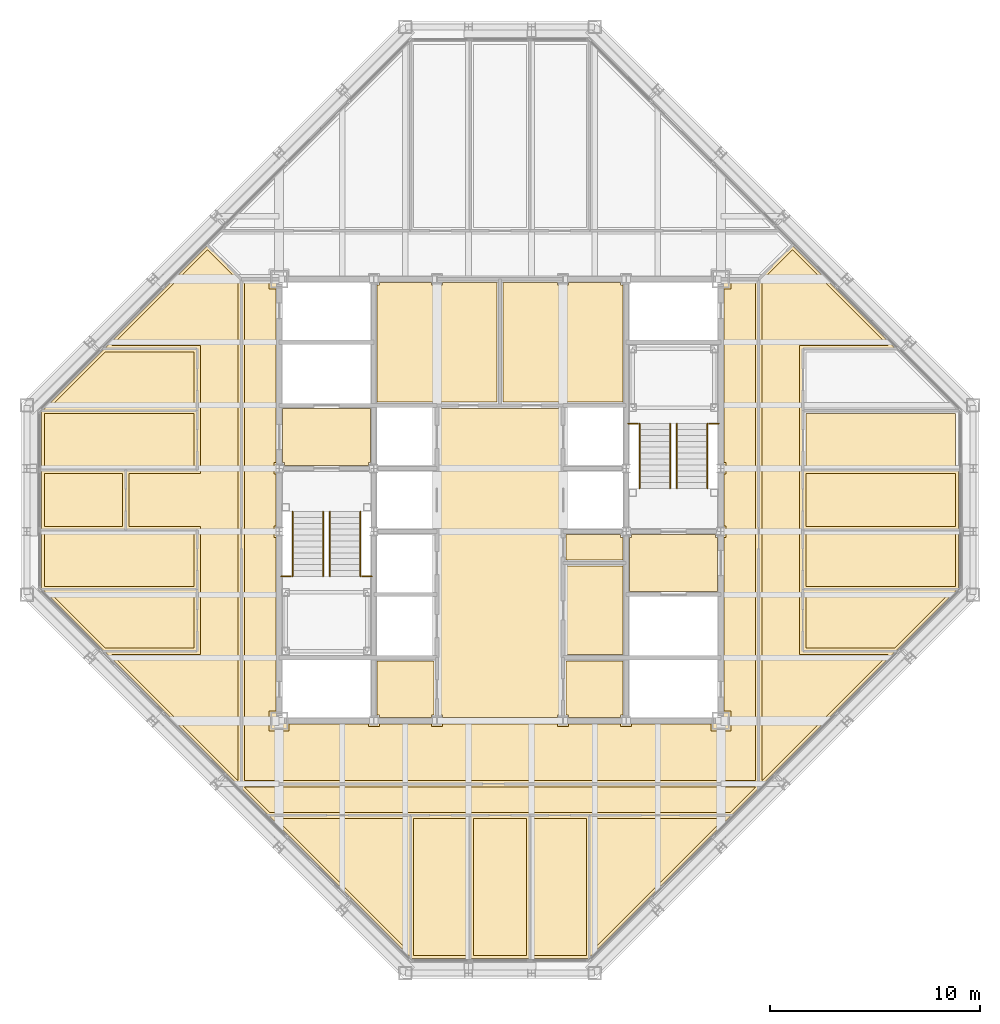
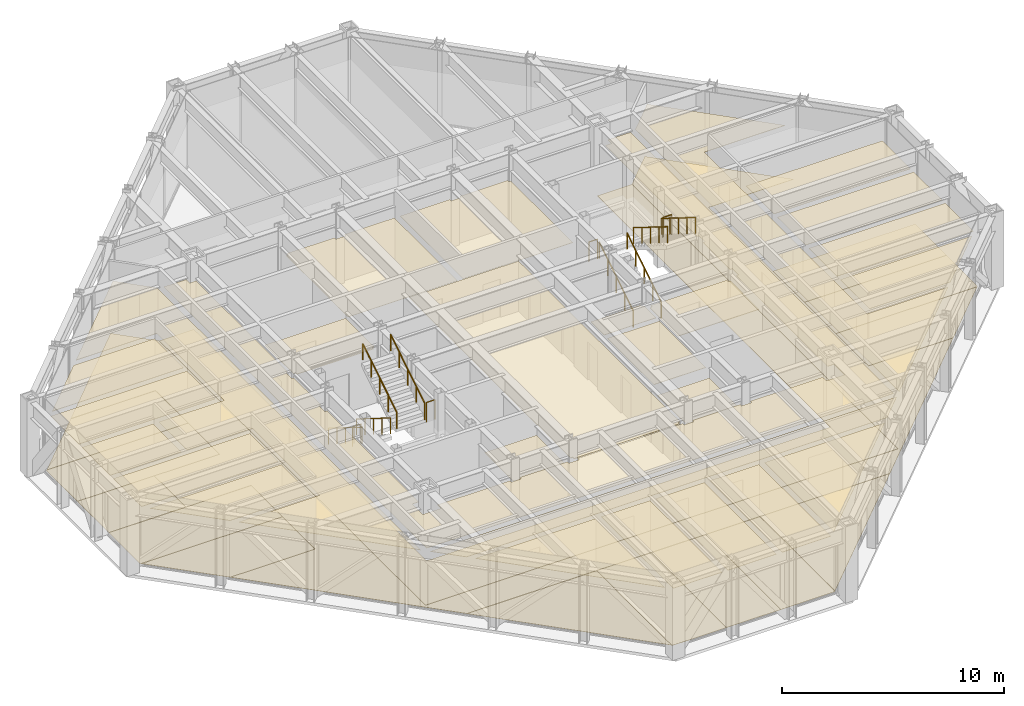
# One storey, part 14 of 15: 42 coverings, 12 railings.
"""IFC4 building model written with IfcOpenShell, lengths in metres."""

from ifc_helpers import new_model, si_unit, direction, frame, origin, origin_2d, place, context, subcontext, project, spatial, polyline, circle, outline, extrude, material, layer, layer_set, type_object, element, save


model = new_model("IFC4")

# Units and contexts
model_context = context("Model", 3, precision=1e-05, world=origin(), true_north=direction((0.0, 1.0)))
body_context = subcontext(model_context, "Body", "Model", "MODEL_VIEW")
ifc_project = project(units=[si_unit("LENGTHUNIT", "METRE"), si_unit("AREAUNIT", "SQUARE_METRE"), si_unit("VOLUMEUNIT", "CUBIC_METRE"), si_unit("PLANEANGLEUNIT", "RADIAN"), si_unit("MASSUNIT", "GRAM", prefix="KILO")], contexts=[model_context])

# Site, building, storey
site_placement = place(None, origin())
site = spatial("IfcSite", under=ifc_project, at=site_placement, CompositionType="ELEMENT")
building_placement = place(site_placement, origin())
building = spatial("IfcBuilding", under=site, at=building_placement, Name="Chuquiago Exchange Tower", CompositionType="ELEMENT")
storey_placement = place(building_placement, frame((0.0, 0.0, 295.800048828125)))
storey = spatial("IfcBuildingStorey", under=building, at=storey_placement, Name="L66", CompositionType="ELEMENT", Elevation=295.800048828125)

# Coverings
ifc_material_1 = material(Name="Mineral fibre tile, 600 x 600, on pale metal grid", Category="mineral fibre")
ifc_layer_1 = layer(ifc_material_1, 0.02001953125)
ifc_layer_set_1 = layer_set([ifc_layer_1], Name="CL1 suspended tile ceiling 20")
covering_type_1 = type_object("IfcCoveringType", Name="CL1 suspended tile ceiling 20", PredefinedType="CEILING", material=ifc_layer_set_1)
covering_1_placement = place(storey_placement, frame((0.0, 0.0, 3.0)))
element("IfcCovering", 1, at=covering_1_placement, inside=storey, type_object=covering_type_1, Name="Ceiling Conference room", PredefinedType="CEILING", context=body_context, shape_type="SweptSolid", body=[
    extrude(outline(polyline([(18.098388671875, 7.35009765625), (18.098388671875, 1.103515625), (11.85205078125, 7.35009765625), (18.098388671875, 7.35009765625)])), origin(), (0.0, 0.0, 1.0), 0.02001953125),
])
covering_2_placement = place(storey_placement, frame((0.0, 0.0, 3.0)))
element("IfcCovering", 2, at=covering_2_placement, inside=storey, type_object=covering_type_1, Name="Ceiling Executive office", PredefinedType="CEILING", context=body_context, shape_type="SweptSolid", body=[
    extrude(outline(polyline([(18.3984375, 7.35009765625), (20.932861328125, 7.35009765625), (20.932861328125, 0.85009765625), (18.3984375, 0.85009765625), (18.3984375, 7.35009765625)])), origin(), (0.0, 0.0, 1.0), 0.02001953125),
])
covering_3_placement = place(storey_placement, frame((0.0, 0.0, 3.0)))
element("IfcCovering", 3, at=covering_3_placement, inside=storey, type_object=covering_type_1, Name="Ceiling Executive office", PredefinedType="CEILING", context=body_context, shape_type="SweptSolid", body=[
    extrude(outline(polyline([(21.23291015625, 7.35009765625), (23.76708984375, 7.35009765625), (23.76708984375, 0.85009765625), (21.23291015625, 0.85009765625), (21.23291015625, 7.35009765625)])), origin(), (0.0, 0.0, 1.0), 0.02001953125),
])
covering_4_placement = place(storey_placement, frame((0.0, 0.0, 3.0)))
element("IfcCovering", 4, at=covering_4_placement, inside=storey, type_object=covering_type_1, Name="Ceiling Meeting room", PredefinedType="CEILING", context=body_context, shape_type="SweptSolid", body=[
    extrude(outline(polyline([(24.067138671875, 0.85009765625), (24.067138671875, 7.35009765625), (26.6015625, 7.35009765625), (26.6015625, 0.85009765625), (24.067138671875, 0.85009765625)])), origin(), (0.0, 0.0, 1.0), 0.02001953125),
])
covering_5_placement = place(storey_placement, frame((0.0, 0.0, 3.0)))
element("IfcCovering", 5, at=covering_5_placement, inside=storey, type_object=covering_type_1, Name="Ceiling Dining room", PredefinedType="CEILING", context=body_context, shape_type="SweptSolid", body=[
    extrude(outline(polyline([(26.901611328125, 7.35009765625), (33.14794921875, 7.35009765625), (26.901611328125, 1.103515625), (26.901611328125, 7.35009765625)])), origin(), (0.0, 0.0, 1.0), 0.02001953125),
])
covering_6_placement = place(storey_placement, frame((0.0, 0.0, 3.0)))
element("IfcCovering", 6, at=covering_6_placement, inside=storey, type_object=covering_type_1, Name="Ceiling Office", PredefinedType="CEILING", context=body_context, shape_type="SweptSolid", body=[
    extrude(outline(polyline([(37.050048828125, 15.45703125), (37.050048828125, 18.098388671875), (43.896484375, 18.098388671875), (41.255126953125, 15.45703125), (37.050048828125, 15.45703125)])), origin(), (0.0, 0.0, 1.0), 0.02001953125),
])
covering_7_placement = place(storey_placement, frame((0.0, 0.0, 3.0)))
element("IfcCovering", 7, at=covering_7_placement, inside=storey, type_object=covering_type_1, Name="Ceiling Executive office", PredefinedType="CEILING", context=body_context, shape_type="SweptSolid", body=[
    extrude(outline(polyline([(37.050048828125, 18.3984375), (37.050048828125, 20.932861328125), (44.14990234375, 20.932861328125), (44.14990234375, 18.3984375), (37.050048828125, 18.3984375)])), origin(), (0.0, 0.0, 1.0), 0.02001953125),
])
covering_8_placement = place(storey_placement, frame((0.0, 0.0, 3.0)))
element("IfcCovering", 8, at=covering_8_placement, inside=storey, type_object=covering_type_1, Name="Ceiling Executive office", PredefinedType="CEILING", context=body_context, shape_type="SweptSolid", body=[
    extrude(outline(polyline([(37.050048828125, 21.23291015625), (37.050048828125, 23.76708984375), (44.14990234375, 23.76708984375), (44.14990234375, 21.23291015625), (37.050048828125, 21.23291015625)])), origin(), (0.0, 0.0, 1.0), 0.02001953125),
])
covering_9_placement = place(storey_placement, frame((0.0, 0.0, 3.0)))
element("IfcCovering", 9, at=covering_9_placement, inside=storey, type_object=covering_type_1, Name="Ceiling Meeting room", PredefinedType="CEILING", context=body_context, shape_type="SweptSolid", body=[
    extrude(outline(polyline([(44.14990234375, 24.067138671875), (37.050048828125, 24.067138671875), (37.050048828125, 26.6015625), (44.14990234375, 26.6015625), (44.14990234375, 24.067138671875)])), origin(), (0.0, 0.0, 1.0), 0.02001953125),
])
covering_10_placement = place(storey_placement, frame((0.0, 0.0, 3.0)))
element("IfcCovering", 10, at=covering_10_placement, inside=storey, type_object=covering_type_1, Name="Ceiling Executive office", PredefinedType="CEILING", context=body_context, shape_type="SweptSolid", body=[
    extrude(outline(polyline([(7.949951171875, 18.098388671875), (7.949951171875, 15.45703125), (3.744873046875, 15.45703125), (1.103515625, 18.098388671875), (7.949951171875, 18.098388671875)])), origin(), (0.0, 0.0, 1.0), 0.02001953125),
])
covering_11_placement = place(storey_placement, frame((0.0, 0.0, 3.0)))
element("IfcCovering", 11, at=covering_11_placement, inside=storey, type_object=covering_type_1, Name="Ceiling Office", PredefinedType="CEILING", context=body_context, shape_type="SweptSolid", body=[
    extrude(outline(polyline([(0.85009765625, 20.932861328125), (7.949951171875, 20.932861328125), (7.949951171875, 18.3984375), (0.85009765625, 18.3984375), (0.85009765625, 20.932861328125)])), origin(), (0.0, 0.0, 1.0), 0.02001953125),
])
covering_12_placement = place(storey_placement, frame((0.0, 0.0, 3.0)))
element("IfcCovering", 12, at=covering_12_placement, inside=storey, type_object=covering_type_1, Name="Ceiling Pantry", PredefinedType="CEILING", context=body_context, shape_type="SweptSolid", body=[
    extrude(outline(polyline([(4.550048828125, 23.76708984375), (4.550048828125, 21.23291015625), (0.85009765625, 21.23291015625), (0.85009765625, 23.76708984375), (4.550048828125, 23.76708984375)])), origin(), (0.0, 0.0, 1.0), 0.02001953125),
])
covering_13_placement = place(storey_placement, frame((0.0, 0.0, 3.0)))
element("IfcCovering", 13, at=covering_13_placement, inside=storey, type_object=covering_type_1, Name="Ceiling Office", PredefinedType="CEILING", context=body_context, shape_type="SweptSolid", body=[
    extrude(outline(polyline([(7.949951171875, 26.6015625), (7.949951171875, 24.067138671875), (0.85009765625, 24.067138671875), (0.85009765625, 26.6015625), (7.949951171875, 26.6015625)])), origin(), (0.0, 0.0, 1.0), 0.02001953125),
])
covering_14_placement = place(storey_placement, frame((0.0, 0.0, 3.0)))
element("IfcCovering", 14, at=covering_14_placement, inside=storey, type_object=covering_type_1, Name="Ceiling Executive office", PredefinedType="CEILING", context=body_context, shape_type="SweptSolid", body=[
    extrude(outline(polyline([(7.949951171875, 29.54296875), (7.949951171875, 26.901611328125), (1.103515625, 26.901611328125), (3.744873046875, 29.54296875), (7.949951171875, 29.54296875)])), origin(), (0.0, 0.0, 1.0), 0.02001953125),
])
covering_15_placement = place(storey_placement, frame((0.0, 0.0, 3.0)))
element("IfcCovering", 15, at=covering_15_placement, inside=storey, type_object=covering_type_1, Name="Ceiling Executive corridor", PredefinedType="CEILING", context=body_context, shape_type="SweptSolid", body=[
    extrude(outline(polyline([(16.24169921875, 11.85009765625), (16.24169921875, 11.727783203125), (16.75830078125, 11.727783203125), (16.75830078125, 11.85009765625), (19.24169921875, 11.85009765625), (19.24169921875, 11.727783203125), (19.75830078125, 11.727783203125), (19.75830078125, 11.85009765625), (25.24169921875, 11.85009765625), (25.24169921875, 11.727783203125), (25.75830078125, 11.727783203125), (25.75830078125, 11.85009765625), (28.24169921875, 11.85009765625), (28.24169921875, 11.727783203125), (28.75830078125, 11.727783203125), (28.75830078125, 11.85009765625), (32.52490234375, 11.85009765625), (32.52490234375, 11.52490234375), (33.47509765625, 11.52490234375), (33.47509765625, 12.47509765625), (33.14990234375, 12.47509765625), (33.14990234375, 20.727783203125), (33.25830078125, 20.727783203125), (33.25830078125, 21.272216796875), (33.14990234375, 21.272216796875), (33.14990234375, 23.727783203125), (33.25830078125, 23.727783203125), (33.25830078125, 24.272216796875), (33.14990234375, 24.272216796875), (33.14990234375, 32.52490234375), (33.47509765625, 32.52490234375), (33.47509765625, 32.85009765625), (34.64990234375, 32.85009765625), (34.64990234375, 9.14990234375), (10.35009765625, 9.14990234375), (10.35009765625, 32.85009765625), (11.52490234375, 32.85009765625), (11.52490234375, 32.52490234375), (11.85009765625, 32.52490234375), (11.85009765625, 24.272216796875), (11.74169921875, 24.272216796875), (11.74169921875, 23.727783203125), (11.85009765625, 23.727783203125), (11.85009765625, 21.272216796875), (11.74169921875, 21.272216796875), (11.74169921875, 20.727783203125), (11.85009765625, 20.727783203125), (11.85009765625, 12.47509765625), (11.52490234375, 12.47509765625), (11.52490234375, 11.52490234375), (12.47509765625, 11.52490234375), (12.47509765625, 11.85009765625), (16.24169921875, 11.85009765625)])), origin(), (0.0, 0.0, 1.0), 0.02001953125),
])
covering_16_placement = place(storey_placement, frame((0.0, 0.0, 3.0)))
element("IfcCovering", 16, at=covering_16_placement, inside=storey, type_object=covering_type_1, Name="Ceiling Executive reception west", PredefinedType="CEILING", context=body_context, shape_type="SweptSolid", body=[
    extrude(outline(polyline([(8.594482421875, 34.392578125), (10.050048828125, 32.9375), (10.050048828125, 9.152099609375), (4.044921875, 15.156982421875), (8.25, 15.156982421875), (8.25, 21.23291015625), (4.85009765625, 21.23291015625), (4.85009765625, 23.76708984375), (8.25, 23.76708984375), (8.25, 29.843017578125), (4.044921875, 29.843017578125), (8.594482421875, 34.392578125)])), origin(), (0.0, 0.0, 1.0), 0.02001953125),
])
covering_17_placement = place(storey_placement, frame((0.0, 0.0, 3.0)))
element("IfcCovering", 17, at=covering_17_placement, inside=storey, type_object=covering_type_1, Name="Ceiling Executive reception west", PredefinedType="CEILING", context=body_context, shape_type="SweptSolid", body=[
    extrude(outline(polyline([(34.949951171875, 32.9375), (36.405517578125, 34.392578125), (40.955078125, 29.843017578125), (36.75, 29.843017578125), (36.75, 15.156982421875), (40.955078125, 15.156982421875), (34.949951171875, 9.152099609375), (34.949951171875, 32.9375)])), origin(), (0.0, 0.0, 1.0), 0.02001953125),
])
covering_18_placement = place(storey_placement, frame((0.0, 0.0, 3.0)))
element("IfcCovering", 18, at=covering_18_placement, inside=storey, type_object=covering_type_1, Name="Ceiling Executive reception west", PredefinedType="CEILING", context=body_context, shape_type="SweptSolid", body=[
    extrude(outline(polyline([(34.64794921875, 8.85009765625), (33.447998046875, 7.64990234375), (11.552001953125, 7.64990234375), (10.35205078125, 8.85009765625), (34.64794921875, 8.85009765625)])), origin(), (0.0, 0.0, 1.0), 0.02001953125),
])
covering_19_placement = place(storey_placement, frame((0.0, 0.0, 3.0)))
element("IfcCovering", 19, at=covering_19_placement, inside=storey, type_object=covering_type_1, Name="Ceiling IT equipment room", PredefinedType="CEILING", context=body_context, shape_type="SweptSolid", body=[
    extrude(outline(polyline([(25.64990234375, 15.14990234375), (25.64990234375, 19.35009765625), (28.35009765625, 19.35009765625), (28.35009765625, 15.14990234375), (25.64990234375, 15.14990234375)])), origin(), (0.0, 0.0, 1.0), 0.02001953125),
])
covering_20_placement = place(storey_placement, frame((0.0, 0.0, 3.0)))
element("IfcCovering", 20, at=covering_20_placement, inside=storey, type_object=covering_type_1, Name="Ceiling Vending room", PredefinedType="CEILING", context=body_context, shape_type="SweptSolid", body=[
    extrude(outline(polyline([(25.64990234375, 19.64990234375), (25.64990234375, 20.85009765625), (28.24169921875, 20.85009765625), (28.24169921875, 20.727783203125), (28.35009765625, 20.727783203125), (28.35009765625, 19.64990234375), (25.64990234375, 19.64990234375)])), origin(), (0.0, 0.0, 1.0), 0.02001953125),
])
ifc_material_2 = material(Name="Moisture resistant plasterboard on metal frame", Category="gypsum")
ifc_layer_2 = layer(ifc_material_2, 0.014892578125)
ifc_layer_set_2 = layer_set([ifc_layer_2], Name="CL2 moisture resistant ceiling 15")
covering_type_2 = type_object("IfcCoveringType", Name="CL2 moisture resistant ceiling 15", PredefinedType="CEILING", material=ifc_layer_set_2)
covering_21_placement = place(storey_placement, frame((0.0, 0.0, 2.599853515625)))
element("IfcCovering", 21, at=covering_21_placement, inside=storey, type_object=covering_type_2, Name="Ceiling Male WC", PredefinedType="CEILING", context=body_context, shape_type="SweptSolid", body=[
    extrude(outline(polyline([(16.64990234375, 27.14990234375), (16.64990234375, 32.727783203125), (16.75830078125, 32.727783203125), (16.75830078125, 32.85009765625), (19.24169921875, 32.85009765625), (19.24169921875, 32.727783203125), (19.75830078125, 32.727783203125), (19.75830078125, 32.85009765625), (22.35009765625, 32.85009765625), (22.35009765625, 27.14990234375), (16.64990234375, 27.14990234375)])), origin(), (0.0, 0.0, 1.0), 0.01513671875),
])
covering_22_placement = place(storey_placement, frame((0.0, 0.0, 2.599853515625)))
element("IfcCovering", 22, at=covering_22_placement, inside=storey, type_object=covering_type_2, Name="Ceiling Female WC", PredefinedType="CEILING", context=body_context, shape_type="SweptSolid", body=[
    extrude(outline(polyline([(22.64990234375, 27.14990234375), (22.64990234375, 32.85009765625), (25.24169921875, 32.85009765625), (25.24169921875, 32.727783203125), (25.75830078125, 32.727783203125), (25.75830078125, 32.85009765625), (28.24169921875, 32.85009765625), (28.24169921875, 32.727783203125), (28.35009765625, 32.727783203125), (28.35009765625, 27.14990234375), (22.64990234375, 27.14990234375)])), origin(), (0.0, 0.0, 1.0), 0.01513671875),
])
covering_23_placement = place(storey_placement, frame((0.0, 0.0, 2.599853515625)))
element("IfcCovering", 23, at=covering_23_placement, inside=storey, type_object=covering_type_2, Name="Ceiling Accessible WC", PredefinedType="CEILING", context=body_context, shape_type="SweptSolid", body=[
    extrude(outline(polyline([(25.75830078125, 12.14990234375), (25.75830078125, 12.272216796875), (25.64990234375, 12.272216796875), (25.64990234375, 14.85009765625), (28.35009765625, 14.85009765625), (28.35009765625, 12.272216796875), (28.24169921875, 12.272216796875), (28.24169921875, 12.14990234375), (25.75830078125, 12.14990234375)])), origin(), (0.0, 0.0, 1.0), 0.01513671875),
])
covering_24_placement = place(storey_placement, frame((0.0, 0.0, 2.599853515625)))
element("IfcCovering", 24, at=covering_24_placement, inside=storey, type_object=covering_type_2, Name="Ceiling Cleaner", PredefinedType="CEILING", context=body_context, shape_type="SweptSolid", body=[
    extrude(outline(polyline([(16.75830078125, 12.14990234375), (16.75830078125, 12.272216796875), (16.64990234375, 12.272216796875), (16.64990234375, 14.85009765625), (19.35009765625, 14.85009765625), (19.35009765625, 12.272216796875), (19.24169921875, 12.272216796875), (19.24169921875, 12.14990234375), (16.75830078125, 12.14990234375)])), origin(), (0.0, 0.0, 1.0), 0.01513671875),
])
ifc_material_3 = material(Name="Pale metal plank ceiling, perforated", Category="aluminium")
ifc_layer_3 = layer(ifc_material_3, 0.030029296875)
ifc_layer_set_3 = layer_set([ifc_layer_3], Name="CL3 metal plank ceiling 30")
covering_type_3 = type_object("IfcCoveringType", Name="CL3 metal plank ceiling 30", PredefinedType="CEILING", material=ifc_layer_set_3)
covering_25_placement = place(storey_placement, frame((0.0, 0.0, 2.800048828125)))
element("IfcCovering", 25, at=covering_25_placement, inside=storey, type_object=covering_type_3, Name="Ceiling Lift lobby", PredefinedType="CEILING", context=body_context, shape_type="SweptSolid", body=[
    extrude(outline(polyline([(19.75830078125, 12.14990234375), (19.75830078125, 12.272216796875), (19.64990234375, 12.272216796875), (19.64990234375, 26.85009765625), (25.35009765625, 26.85009765625), (25.35009765625, 12.272216796875), (25.24169921875, 12.272216796875), (25.24169921875, 12.14990234375), (19.75830078125, 12.14990234375)])), origin(), (0.0, 0.0, 1.0), 0.02978515625),
])
covering_26_placement = place(storey_placement, frame((0.0, 0.0, 2.800048828125)))
element("IfcCovering", 26, at=covering_26_placement, inside=storey, type_object=covering_type_3, Name="Ceiling Firefighting lobby", PredefinedType="CEILING", context=body_context, shape_type="SweptSolid", body=[
    extrude(outline(polyline([(12.25830078125, 24.14990234375), (12.25830078125, 24.272216796875), (12.14990234375, 24.272216796875), (12.14990234375, 26.85009765625), (16.35009765625, 26.85009765625), (16.35009765625, 24.272216796875), (16.24169921875, 24.272216796875), (16.24169921875, 24.14990234375), (12.25830078125, 24.14990234375)])), origin(), (0.0, 0.0, 1.0), 0.02978515625),
])
covering_27_placement = place(storey_placement, frame((0.0, 0.0, 2.800048828125)))
element("IfcCovering", 27, at=covering_27_placement, inside=storey, type_object=covering_type_3, Name="Ceiling Firefighting lobby", PredefinedType="CEILING", context=body_context, shape_type="SweptSolid", body=[
    extrude(outline(polyline([(28.64990234375, 18.14990234375), (28.64990234375, 20.727783203125), (28.75830078125, 20.727783203125), (28.75830078125, 20.85009765625), (32.74169921875, 20.85009765625), (32.74169921875, 20.727783203125), (32.85009765625, 20.727783203125), (32.85009765625, 18.14990234375), (28.64990234375, 18.14990234375)])), origin(), (0.0, 0.0, 1.0), 0.02978515625),
])
ifc_material_4 = material(Name="Carpet tile, 500 x 500, on the floor slab", Category="textile")
ifc_layer_4 = layer(ifc_material_4, 0.010009765625)
ifc_layer_set_4 = layer_set([ifc_layer_4], Name="FL1 carpet tile 10")
covering_type_4 = type_object("IfcCoveringType", Name="FL1 carpet tile 10", PredefinedType="FLOORING", material=ifc_layer_set_4)
covering_28_placement = place(storey_placement, origin())
element("IfcCovering", 28, at=covering_28_placement, inside=storey, type_object=covering_type_4, Name="Floor finish Conference room", PredefinedType="FLOORING", context=body_context, shape_type="SweptSolid", body=[
    extrude(outline(polyline([(11.489990234375, 7.5), (18.24853515625, 7.5), (18.24853515625, 0.741455078125), (11.489990234375, 7.5)])), origin(), (0.0, 0.0, 1.0), 0.010009765625),
])
covering_29_placement = place(storey_placement, origin())
element("IfcCovering", 29, at=covering_29_placement, inside=storey, type_object=covering_type_4, Name="Floor finish Executive office", PredefinedType="FLOORING", context=body_context, shape_type="SweptSolid", body=[
    extrude(outline(polyline([(18.289794921875, 0.699951171875), (18.24853515625, 0.741455078125), (18.24853515625, 7.5), (21.082763671875, 7.5), (21.082763671875, 0.699951171875), (18.289794921875, 0.699951171875)])), origin(), (0.0, 0.0, 1.0), 0.010009765625),
])
covering_30_placement = place(storey_placement, origin())
element("IfcCovering", 30, at=covering_30_placement, inside=storey, type_object=covering_type_4, Name="Floor finish Executive office", PredefinedType="FLOORING", context=body_context, shape_type="SweptSolid", body=[
    extrude(outline(polyline([(21.082763671875, 0.699951171875), (21.082763671875, 7.5), (23.917236328125, 7.5), (23.917236328125, 0.699951171875), (21.082763671875, 0.699951171875)])), origin(), (0.0, 0.0, 1.0), 0.010009765625),
])
covering_31_placement = place(storey_placement, origin())
element("IfcCovering", 31, at=covering_31_placement, inside=storey, type_object=covering_type_4, Name="Floor finish Meeting room", PredefinedType="FLOORING", context=body_context, shape_type="SweptSolid", body=[
    extrude(outline(polyline([(26.710205078125, 0.699951171875), (23.917236328125, 0.699951171875), (23.917236328125, 7.5), (26.75146484375, 7.5), (26.75146484375, 0.741455078125), (26.710205078125, 0.699951171875)])), origin(), (0.0, 0.0, 1.0), 0.010009765625),
])
covering_32_placement = place(storey_placement, origin())
element("IfcCovering", 32, at=covering_32_placement, inside=storey, type_object=covering_type_4, Name="Floor finish Office", PredefinedType="FLOORING", context=body_context, shape_type="SweptSolid", body=[
    extrude(outline(polyline([(41.317138671875, 15.30712890625), (36.89990234375, 15.30712890625), (36.89990234375, 18.24853515625), (44.258544921875, 18.24853515625), (41.317138671875, 15.30712890625)])), origin(), (0.0, 0.0, 1.0), 0.010009765625),
])
covering_33_placement = place(storey_placement, origin())
element("IfcCovering", 33, at=covering_33_placement, inside=storey, type_object=covering_type_4, Name="Floor finish Executive office", PredefinedType="FLOORING", context=body_context, shape_type="SweptSolid", body=[
    extrude(outline(polyline([(44.300048828125, 18.289794921875), (44.258544921875, 18.24853515625), (36.89990234375, 18.24853515625), (36.89990234375, 21.082763671875), (44.300048828125, 21.082763671875), (44.300048828125, 18.289794921875)])), origin(), (0.0, 0.0, 1.0), 0.010009765625),
])
covering_34_placement = place(storey_placement, origin())
element("IfcCovering", 34, at=covering_34_placement, inside=storey, type_object=covering_type_4, Name="Floor finish Executive office", PredefinedType="FLOORING", context=body_context, shape_type="SweptSolid", body=[
    extrude(outline(polyline([(44.300048828125, 21.082763671875), (36.89990234375, 21.082763671875), (36.89990234375, 23.917236328125), (44.300048828125, 23.917236328125), (44.300048828125, 21.082763671875)])), origin(), (0.0, 0.0, 1.0), 0.010009765625),
])
covering_35_placement = place(storey_placement, origin())
element("IfcCovering", 35, at=covering_35_placement, inside=storey, type_object=covering_type_4, Name="Floor finish Executive office", PredefinedType="FLOORING", context=body_context, shape_type="SweptSolid", body=[
    extrude(outline(polyline([(0.741455078125, 18.24853515625), (8.10009765625, 18.24853515625), (8.10009765625, 15.30712890625), (3.682861328125, 15.30712890625), (0.741455078125, 18.24853515625)])), origin(), (0.0, 0.0, 1.0), 0.010009765625),
])
covering_36_placement = place(storey_placement, origin())
element("IfcCovering", 36, at=covering_36_placement, inside=storey, type_object=covering_type_4, Name="Floor finish Office", PredefinedType="FLOORING", context=body_context, shape_type="SweptSolid", body=[
    extrude(outline(polyline([(0.699951171875, 21.082763671875), (8.10009765625, 21.082763671875), (8.10009765625, 18.24853515625), (0.741455078125, 18.24853515625), (0.699951171875, 18.289794921875), (0.699951171875, 21.082763671875)])), origin(), (0.0, 0.0, 1.0), 0.010009765625),
])
covering_37_placement = place(storey_placement, origin())
element("IfcCovering", 37, at=covering_37_placement, inside=storey, type_object=covering_type_4, Name="Floor finish Office", PredefinedType="FLOORING", context=body_context, shape_type="SweptSolid", body=[
    extrude(outline(polyline([(0.699951171875, 26.710205078125), (0.741455078125, 26.75146484375), (8.10009765625, 26.75146484375), (8.10009765625, 23.917236328125), (0.699951171875, 23.917236328125), (0.699951171875, 26.710205078125)])), origin(), (0.0, 0.0, 1.0), 0.010009765625),
])
covering_38_placement = place(storey_placement, origin())
element("IfcCovering", 38, at=covering_38_placement, inside=storey, type_object=covering_type_4, Name="Floor finish Executive office", PredefinedType="FLOORING", context=body_context, shape_type="SweptSolid", body=[
    extrude(outline(polyline([(3.682861328125, 29.69287109375), (8.10009765625, 29.69287109375), (8.10009765625, 26.75146484375), (0.741455078125, 26.75146484375), (3.682861328125, 29.69287109375)])), origin(), (0.0, 0.0, 1.0), 0.010009765625),
])
ifc_material_5 = material(Name="Porcelain floor tile, 600 x 600, on adhesive bed", Category="ceramic")
ifc_layer_5 = layer(ifc_material_5, 0.014892578125)
ifc_layer_set_5 = layer_set([ifc_layer_5], Name="FL2 porcelain tile 15")
covering_type_5 = type_object("IfcCoveringType", Name="FL2 porcelain tile 15", PredefinedType="FLOORING", material=ifc_layer_set_5)
covering_39_placement = place(storey_placement, origin())
element("IfcCovering", 39, at=covering_39_placement, inside=storey, type_object=covering_type_5, Name="Floor finish Dining room", PredefinedType="FLOORING", context=body_context, shape_type="SweptSolid", body=[
    extrude(outline(polyline([(26.75146484375, 0.741455078125), (26.75146484375, 7.5), (33.510009765625, 7.5), (26.75146484375, 0.741455078125)])), origin(), (0.0, 0.0, 1.0), 0.014892578125),
])
covering_40_placement = place(storey_placement, origin())
element("IfcCovering", 40, at=covering_40_placement, inside=storey, type_object=covering_type_5, Name="Floor finish Pantry", PredefinedType="FLOORING", context=body_context, shape_type="SweptSolid", body=[
    extrude(outline(polyline([(0.699951171875, 23.917236328125), (4.699951171875, 23.917236328125), (4.699951171875, 21.082763671875), (0.699951171875, 21.082763671875), (0.699951171875, 23.917236328125)])), origin(), (0.0, 0.0, 1.0), 0.014892578125),
])
covering_41_placement = place(storey_placement, origin())
element("IfcCovering", 41, at=covering_41_placement, inside=storey, type_object=covering_type_5, Name="Floor finish Executive corridor", PredefinedType="FLOORING", context=body_context, shape_type="SweptSolid", body=[
    extrude(outline(polyline([(12.0, 12.0), (33.0, 12.0), (33.0, 33.0), (34.800048828125, 33.0), (34.800048828125, 9.0), (10.199951171875, 9.0), (10.199951171875, 33.0), (12.0, 33.0), (12.0, 12.0)])), origin(), (0.0, 0.0, 1.0), 0.014892578125),
])
covering_42_placement = place(storey_placement, origin())
element("IfcCovering", 42, at=covering_42_placement, inside=storey, type_object=covering_type_5, Name="Floor finish Executive reception west", PredefinedType="FLOORING", context=body_context, shape_type="SweptSolid", body=[
    extrude(outline(polyline([(41.317138671875, 29.69287109375), (36.89990234375, 29.69287109375), (36.89990234375, 26.75146484375), (36.89990234375, 15.30712890625), (41.317138671875, 15.30712890625), (33.510009765625, 7.5), (11.489990234375, 7.5), (18.24853515625, 0.741455078125), (3.682861328125, 15.30712890625), (8.10009765625, 15.30712890625), (8.10009765625, 21.082763671875), (4.699951171875, 21.082763671875), (4.699951171875, 23.917236328125), (8.10009765625, 23.917236328125), (8.10009765625, 29.69287109375), (3.682861328125, 29.69287109375), (0.8505859375, 26.860595703125), (8.594482421875, 34.604736328125), (10.199951171875, 32.99951171875), (10.199951171875, 9.0), (34.800048828125, 9.0), (34.800048828125, 32.99951171875), (36.405517578125, 34.604736328125), (41.317138671875, 29.69287109375)])), origin(), (0.0, 0.0, 1.0), 0.014892578125),
])

# Railings
ifc_material_6 = material(Name="Pale metal guard with safety glass infill", Category="glass")
railing_type_1 = type_object("IfcRailingType", Name="GR1 guard 1100", PredefinedType="GUARDRAIL", material=ifc_material_6)
for number, where, name in (
    (43, (12.10009765625, 18.8701171875, 2.099853515625), "Guard ST1 L66 landing 2"),
    (44, (15.945068359375, 18.8701171875, 2.099853515625), "Guard ST1 L66 landing 2"),
    (45, (28.60009765625, 26.1298828125, 2.099853515625), "Guard ST2 L66 landing 2"),
    (46, (32.445068359375, 26.1298828125, 2.099853515625), "Guard ST2 L66 landing 2"),
):
    element("IfcRailing", number, at=place(storey_placement, frame(where)), inside=storey, type_object=railing_type_1, Name=name, PredefinedType="GUARDRAIL", context=body_context, shape_type="SweptSolid", body=[
        extrude(circle(Radius=0.02392578125, at=origin_2d()), frame((0.0, 0.0, 1.076171875), z_axis=(1.0, 0.0, 0.0), x_axis=(0.0, 1.0, 0.0)), (0.0, 0.0, 1.0), 0.454833984375),
        extrude(circle(Radius=0.02099609375, at=origin_2d()), origin(), (0.0, 0.0, 1.0), 1.052001953125),
        extrude(circle(Radius=0.02099609375, at=origin_2d()), frame((0.454833984375, 0.0, 0.0)), (0.0, 0.0, 1.0), 1.052001953125),
    ])
ifc_material_7 = material(Name="Pale metal handrail", Category="steel")
railing_type_2 = type_object("IfcRailingType", Name="HR1 handrail 900", PredefinedType="HANDRAIL", material=ifc_material_7)
for number, where, name in (
    (47, (12.635009765625, 21.949951171875, 0.175048828125), "Handrail ST1 L66 flight 1"),
    (48, (14.0849609375, 21.949951171875, 0.175048828125), "Handrail ST1 L66 flight 1"),
):
    element("IfcRailing", number, at=place(storey_placement, frame(where)), inside=storey, type_object=railing_type_2, Name=name, PredefinedType="HANDRAIL", context=body_context, shape_type="SweptSolid", body=[
        extrude(circle(Radius=0.02392578125, at=origin_2d()), frame((0.0, 0.0, 0.8759765625), z_axis=(0.0, -0.848009633417, 0.529980812513), x_axis=(1.0, 0.0, 0.0)), (0.0, 0.0, 1.0), 3.6318359375),
        extrude(circle(Radius=0.02099609375, at=origin_2d()), origin(), (0.0, 0.0, 1.0), 0.851806640625),
        extrude(circle(Radius=0.02099609375, at=origin_2d()), frame((0.0, -0.77001953125, 0.481201171875)), (0.0, 0.0, 1.0), 0.851806640625),
        extrude(circle(Radius=0.02099609375, at=origin_2d()), frame((0.0, -1.5400390625, 0.96240234375)), (0.0, 0.0, 1.0), 0.851806640625),
        extrude(circle(Radius=0.02099609375, at=origin_2d()), frame((0.0, -2.309814453125, 1.443603515625)), (0.0, 0.0, 1.0), 0.851806640625),
        extrude(circle(Radius=0.02099609375, at=origin_2d()), frame((0.0, -3.079833984375, 1.9248046875)), (0.0, 0.0, 1.0), 0.851806640625),
    ])
for number, where, name in (
    (49, (15.864990234375, 18.8701171875, 2.27490234375), "Handrail ST1 L66 flight 2"),
    (50, (14.4150390625, 18.8701171875, 2.27490234375), "Handrail ST1 L66 flight 2"),
):
    element("IfcRailing", number, at=place(storey_placement, frame(where)), inside=storey, type_object=railing_type_2, Name=name, PredefinedType="HANDRAIL", context=body_context, shape_type="SweptSolid", body=[
        extrude(circle(Radius=0.02392578125, at=origin_2d()), frame((0.0, 0.0, 0.8759765625), z_axis=(0.0, 0.847979421464, 0.530029150871), x_axis=(-1.0, 0.0, 0.0)), (0.0, 0.0, 1.0), 3.632080078125),
        extrude(circle(Radius=0.02099609375, at=origin_2d()), origin(), (0.0, 0.0, 1.0), 0.851806640625),
        extrude(circle(Radius=0.02099609375, at=origin_2d()), frame((0.0, 0.77001953125, 0.481201171875)), (0.0, 0.0, 1.0), 0.851806640625),
        extrude(circle(Radius=0.02099609375, at=origin_2d()), frame((0.0, 1.5400390625, 0.96240234375)), (0.0, 0.0, 1.0), 0.851806640625),
        extrude(circle(Radius=0.02099609375, at=origin_2d()), frame((0.0, 2.309814453125, 1.44384765625)), (0.0, 0.0, 1.0), 0.851806640625),
        extrude(circle(Radius=0.02099609375, at=origin_2d()), frame((0.0, 3.079833984375, 1.925048828125)), (0.0, 0.0, 1.0), 0.851806640625),
    ])
for number, where, name in (
    (51, (30.5849609375, 23.050048828125, 0.175048828125), "Handrail ST2 L66 flight 1"),
    (52, (29.135009765625, 23.050048828125, 0.175048828125), "Handrail ST2 L66 flight 1"),
):
    element("IfcRailing", number, at=place(storey_placement, frame(where)), inside=storey, type_object=railing_type_2, Name=name, PredefinedType="HANDRAIL", context=body_context, shape_type="SweptSolid", body=[
        extrude(circle(Radius=0.02392578125, at=origin_2d()), frame((0.0, 0.0, 0.8759765625), z_axis=(0.0, 0.848009633417, 0.529980812513), x_axis=(-1.0, 0.0, 0.0)), (0.0, 0.0, 1.0), 3.6318359375),
        extrude(circle(Radius=0.02099609375, at=origin_2d()), origin(), (0.0, 0.0, 1.0), 0.851806640625),
        extrude(circle(Radius=0.02099609375, at=origin_2d()), frame((0.0, 0.77001953125, 0.481201171875)), (0.0, 0.0, 1.0), 0.851806640625),
        extrude(circle(Radius=0.02099609375, at=origin_2d()), frame((0.0, 1.5400390625, 0.96240234375)), (0.0, 0.0, 1.0), 0.851806640625),
        extrude(circle(Radius=0.02099609375, at=origin_2d()), frame((0.0, 2.309814453125, 1.443603515625)), (0.0, 0.0, 1.0), 0.851806640625),
        extrude(circle(Radius=0.02099609375, at=origin_2d()), frame((0.0, 3.079833984375, 1.9248046875)), (0.0, 0.0, 1.0), 0.851806640625),
    ])
for number, where, name in (
    (53, (30.9150390625, 26.1298828125, 2.27490234375), "Handrail ST2 L66 flight 2"),
    (54, (32.364990234375, 26.1298828125, 2.27490234375), "Handrail ST2 L66 flight 2"),
):
    element("IfcRailing", number, at=place(storey_placement, frame(where)), inside=storey, type_object=railing_type_2, Name=name, PredefinedType="HANDRAIL", context=body_context, shape_type="SweptSolid", body=[
        extrude(circle(Radius=0.02392578125, at=origin_2d()), frame((0.0, 0.0, 0.8759765625), z_axis=(0.0, -0.847979421464, 0.530029150871), x_axis=(1.0, 0.0, 0.0)), (0.0, 0.0, 1.0), 3.632080078125),
        extrude(circle(Radius=0.02099609375, at=origin_2d()), origin(), (0.0, 0.0, 1.0), 0.851806640625),
        extrude(circle(Radius=0.02099609375, at=origin_2d()), frame((0.0, -0.77001953125, 0.481201171875)), (0.0, 0.0, 1.0), 0.851806640625),
        extrude(circle(Radius=0.02099609375, at=origin_2d()), frame((0.0, -1.5400390625, 0.96240234375)), (0.0, 0.0, 1.0), 0.851806640625),
        extrude(circle(Radius=0.02099609375, at=origin_2d()), frame((0.0, -2.309814453125, 1.44384765625)), (0.0, 0.0, 1.0), 0.851806640625),
        extrude(circle(Radius=0.02099609375, at=origin_2d()), frame((0.0, -3.079833984375, 1.925048828125)), (0.0, 0.0, 1.0), 0.851806640625),
    ])

save(model, "model.ifc")
